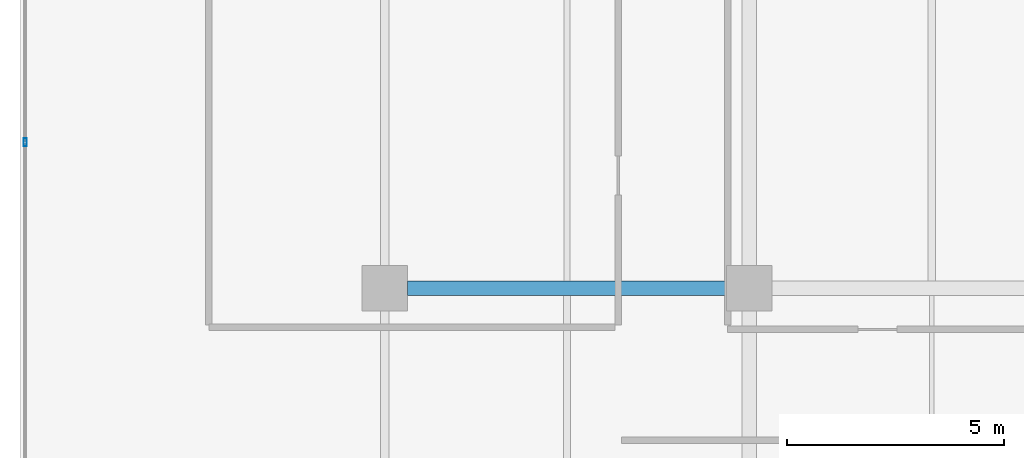
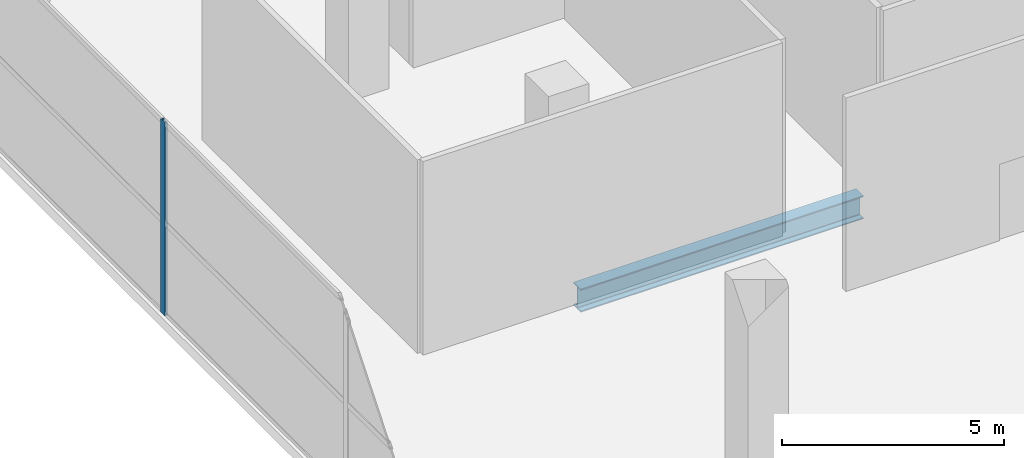
# One storey, part 17 of 40: 1 beam, 1 member, 1 element without a shape of its own.
"""IFC4 building model written with IfcOpenShell, lengths in metres."""

from ifc_helpers import new_model, si_unit, direction, frame, origin, origin_2d, place, context, subcontext, project, spatial, hollow_rectangle, i_section, extrude, material, layer, layer_set, material_profile, profile_set, type_object, element, aggregate, save


model = new_model("IFC4")

# Units and contexts
model_context = context("Model", 3, precision=1e-05, world=origin(), true_north=direction((0.0, 1.0)))
body_context = subcontext(model_context, "Body", "Model", "MODEL_VIEW")
ifc_project = project(units=[si_unit("LENGTHUNIT", "METRE"), si_unit("AREAUNIT", "SQUARE_METRE"), si_unit("VOLUMEUNIT", "CUBIC_METRE"), si_unit("PLANEANGLEUNIT", "RADIAN"), si_unit("MASSUNIT", "GRAM", prefix="KILO")], contexts=[model_context])

# Site, building, storey
site_placement = place(None, origin())
site = spatial("IfcSite", under=ifc_project, at=site_placement, CompositionType="ELEMENT")
building_placement = place(site_placement, origin())
building = spatial("IfcBuilding", under=site, at=building_placement, Name="Maruvema Waterfront Hotel and Observation Tower", CompositionType="ELEMENT")
storey_placement = place(building_placement, frame((0.0, 0.0, 10.85009765625)))
storey = spatial("IfcBuildingStorey", under=building, at=storey_placement, Name="L02", CompositionType="ELEMENT", Elevation=10.85009765625)

# Curtain wall, member
ifc_material_1 = material(Name="Anodised bronze aluminium and solar-control low-E IGU", Category="aluminium")
ifc_layer = layer(ifc_material_1, 0.159912109375, Name="Podium Waterfront Storefront Curtain Wall System CW-01")
ifc_layer_set = layer_set([ifc_layer], Name="Anodised bronze aluminium and solar-control low-E IGU")
curtain_wall_type = type_object("IfcCurtainWallType", Name="Podium Waterfront Storefront Curtain Wall System CW-01", PredefinedType="USERDEFINED", material=ifc_layer_set)
curtain_wall_placement = place(storey_placement, origin())
curtain_wall = element("IfcCurtainWall", 1, at=curtain_wall_placement, inside=storey, type_object=curtain_wall_type, Name="L02 Curtain Wall CW-L02-W", ObjectType="UNITISED CURTAIN WALL", PredefinedType="USERDEFINED")
ifc_material_2 = material(Name="Anodised architectural bronze aluminium", Category="aluminium")
ifc_material_profile_1 = material_profile(ifc_material_2, hollow_rectangle(XDim=0.070068359375, YDim=0.18994140625, WallThickness=0.00390625, at=origin_2d()), Name="ALU-M70x190")
ifc_profile_set_1 = profile_set([ifc_material_profile_1], Name="Anodised architectural bronze aluminium")
member_type = type_object("IfcMemberType", Name="Podium Storefront Heavy Mullion ALU-M70x190", PredefinedType="MULLION", material=ifc_profile_set_1)
member_placement = place(storey_placement, frame((0.1201171875, 39.360107421875, 0.0), z_axis=(0.0, 0.0, 1.0), x_axis=(1.0, 0.0, 0.0)))
member = element("IfcMember", 2, at=member_placement, type_object=member_type, Name="CW-01 mullion 2", PredefinedType="MULLION", context=body_context, shape_type="SweptSolid", body=[
    extrude(hollow_rectangle(XDim=0.070068359375, YDim=0.18994140625, WallThickness=0.00390625, at=origin_2d()), origin(), (0.0, 0.0, 1.0), 5.31982421875),
])
aggregate(curtain_wall, [member])

# Beam
ifc_material_3 = material(Name="Steel ASTM A572 Grade 50", Category="steel")
ifc_material_profile_2 = material_profile(ifc_material_3, i_section(OverallWidth=0.3291015625, OverallDepth=0.635009765625, WebThickness=0.017822265625, FlangeThickness=0.031005859375, FilletRadius=0.01806640625, at=origin_2d()), Name="W610x241.0")
ifc_profile_set_2 = profile_set([ifc_material_profile_2], Name="Steel ASTM A572 Grade 50")
beam_type = type_object("IfcBeamType", Name="Primary Floor Girder W610x241.0", PredefinedType="BEAM", material=ifc_profile_set_2)
beam_placement = place(storey_placement, frame((8.925048828125, 36.0, -0.59765625), z_axis=(1.0, 0.0, 0.0), x_axis=(0.0, 1.0, 0.0)))
element("IfcBeam", 3, at=beam_placement, inside=storey, type_object=beam_type, Name="L02 Floor Girder EW-25", PredefinedType="BEAM", context=body_context, shape_type="SweptSolid", body=[
    extrude(i_section(OverallWidth=0.3291015625, OverallDepth=0.635009765625, WebThickness=0.017822265625, FlangeThickness=0.031005859375, FilletRadius=0.01806640625, at=origin_2d()), origin(), (0.0, 0.0, 1.0), 7.349853515625),
])

save(model, "model.ifc")
